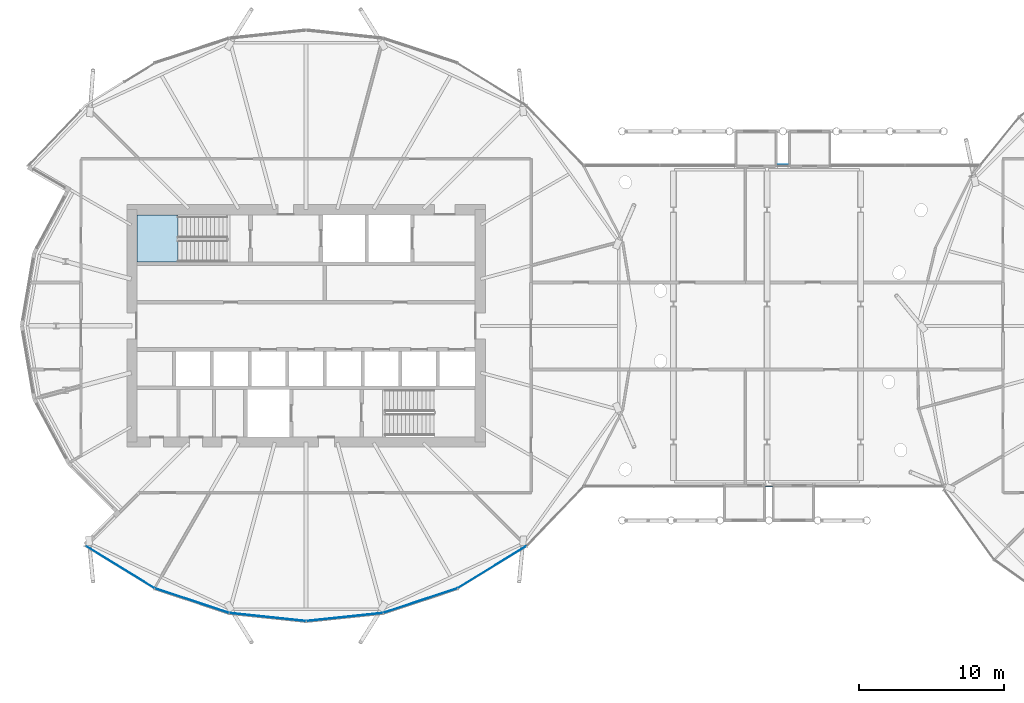
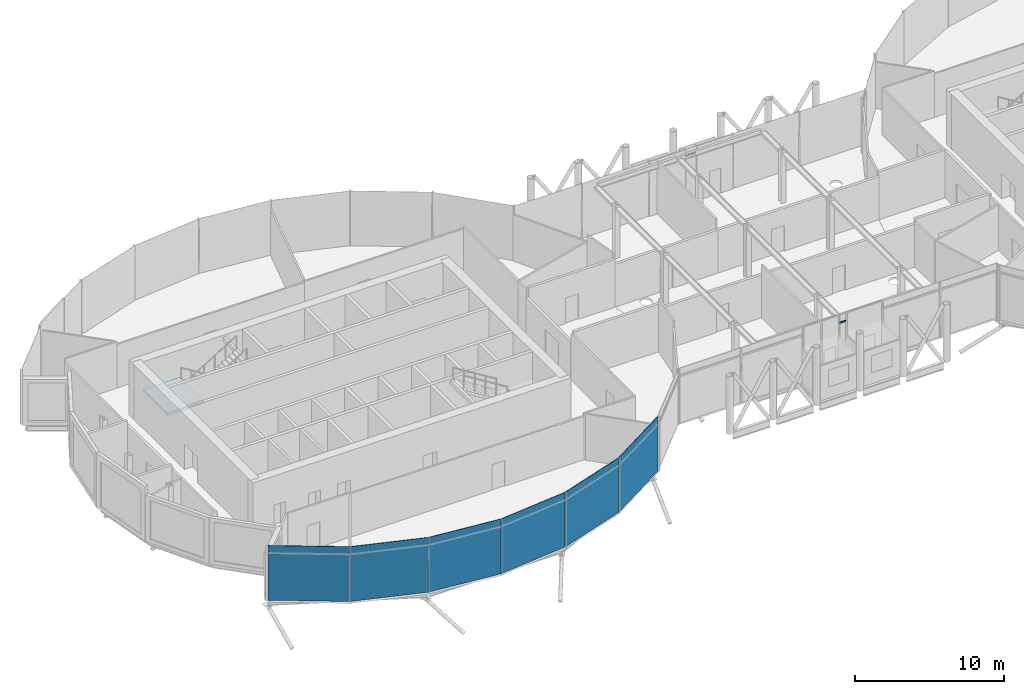
# One storey, part 17 of 36: 6 plates, 2 members, 1 slab, 4 elements without a shape of their own.
"""IFC4 building model written with IfcOpenShell, lengths in metres."""

import ifcopenshell
import ifcopenshell.guid

model = None  # the IFC model being written
_history = None  # IfcOwnerHistory: only IFC2X3 demands one
_inside = {}  # id of a spatial element -> (the spatial element, [elements in it])
_under = {}  # id of a project, library or spatial element -> (it, [spatial elements below it])
_declared = {}  # id of a project -> (the project, [libraries it declares])
_typed = {}  # id of a type object -> (the type object, [elements of that type])
_made_of = {}  # id of a material, layer set ... -> (it, [elements and type objects made of it])


def new_model(schema):
    """Start an empty IFC model of exactly this schema.

    Asked for "IFC4X3", IfcOpenShell would pick the latest addendum, in which some entities
    have other attributes; the version numbers below select the first issue.
    IFC2X3 requires an IfcOwnerHistory on every rooted entity: one is made here for all.
    """
    global model, _history
    if schema == "IFC4X3":
        model = ifcopenshell.file(schema_version=(4, 3, 0, 0))
    else:
        model = ifcopenshell.file(schema=schema)
    _inside.clear()
    _under.clear()
    _declared.clear()
    _typed.clear()
    _made_of.clear()
    _history = None
    if model.schema == "IFC2X3":
        org = make("IfcOrganization", Name="unknown")
        user = make(
            "IfcPersonAndOrganization",
            ThePerson=make("IfcPerson", FamilyName="unknown"),
            TheOrganization=org,
        )
        app = make(
            "IfcApplication",
            ApplicationDeveloper=org,
            Version="unknown",
            ApplicationFullName="unknown",
            ApplicationIdentifier="unknown",
        )
        _history = make(
            "IfcOwnerHistory",
            OwningUser=user,
            OwningApplication=app,
            ChangeAction="ADDED",
            CreationDate=0,
        )
    return model


def make(cls, **values):
    """One entity of the class cls with the attributes given. An attribute that is None is left unset."""
    return model.create_entity(
        cls, **{name: value for name, value in values.items() if value is not None}
    )


def rooted(cls, **values):
    """An entity with a GlobalId (a new one), such as an element, a storey or a relation."""
    return make(cls, GlobalId=ifcopenshell.guid.new(), OwnerHistory=_history, **values)


def si_unit(unit_type, name, prefix=None):
    """IfcSIUnit, for example si_unit("LENGTHUNIT", "METRE", prefix="MILLI")."""
    return make("IfcSIUnit", UnitType=unit_type, Prefix=prefix, Name=name)


def assignment(units):
    """IfcUnitAssignment: the units of a project."""
    return None if units is None else make("IfcUnitAssignment", Units=units)


def point(xyz):
    """IfcCartesianPoint."""
    return None if xyz is None else make("IfcCartesianPoint", Coordinates=xyz)


def direction(xyz):
    """IfcDirection."""
    return None if xyz is None else make("IfcDirection", DirectionRatios=xyz)


def frame(location, z_axis=None, x_axis=None):
    """IfcAxis2Placement3D, a coordinate frame: its origin and axes. An axis left out is left unset."""
    return make(
        "IfcAxis2Placement3D",
        Location=point(location),
        Axis=direction(z_axis),
        RefDirection=direction(x_axis),
    )


def frame_2d(location, x_axis=None):
    """IfcAxis2Placement2D, a coordinate frame in the plane: its origin and x axis."""
    return make(
        "IfcAxis2Placement2D", Location=point(location), RefDirection=direction(x_axis)
    )


def origin():
    """The frame at (0, 0, 0) with its axes left unset."""
    return frame((0.0, 0.0, 0.0))


def origin_2d():
    """The frame at (0, 0) in the plane with its x axis left unset."""
    return frame_2d((0.0, 0.0))


def place(relative_to, where):
    """IfcLocalPlacement: puts the frame where relative to a parent placement (None: the world)."""
    return make(
        "IfcLocalPlacement", PlacementRelTo=relative_to, RelativePlacement=where
    )


def context(
    kind, dimensions, precision=None, world=None, true_north=None, identifier=None
):
    """IfcGeometricRepresentationContext, for example the 3D "Model" context."""
    return make(
        "IfcGeometricRepresentationContext",
        ContextIdentifier=identifier,
        ContextType=kind,
        CoordinateSpaceDimension=dimensions,
        Precision=precision,
        WorldCoordinateSystem=world,
        TrueNorth=true_north,
    )


def subcontext(parent, identifier, kind, view, scale=None):
    """IfcGeometricRepresentationSubContext, for example "Body" below "Model"."""
    return make(
        "IfcGeometricRepresentationSubContext",
        ContextIdentifier=identifier,
        ContextType=kind,
        ParentContext=parent,
        TargetScale=scale,
        TargetView=view,
    )


def project(units=None, contexts=None):
    """IfcProject with its units and contexts."""
    return rooted(
        "IfcProject",
        Name="project",
        RepresentationContexts=contexts,
        UnitsInContext=assignment(units),
    )


def spatial(cls, under=None, at=None, **own):
    """A site, building, storey or space (cls), placed at a placement, below another one or the project."""
    s = rooted(cls, ObjectPlacement=at, **own)
    if under is not None:
        _under.setdefault(under.id(), (under, []))[1].append(s)
    return s


def polyline(points):
    """IfcPolyline through the points."""
    return make("IfcPolyline", Points=[point(p) for p in points])


def profile(cls, at=None, kind="AREA", **sizes):
    """A parametric profile (cls). Its sizes go by their IFC names, for example OverallWidth=200.0."""
    return make(cls, ProfileType=kind, Position=at, **sizes)


def rectangle(**sizes):
    """IfcRectangleProfileDef."""
    return profile("IfcRectangleProfileDef", **sizes)


def outline(outer, holes=None, kind="AREA"):
    """IfcArbitraryClosedProfileDef: a profile drawn as a closed curve; with holes, ...WithVoids."""
    if holes is None:
        return make("IfcArbitraryClosedProfileDef", ProfileType=kind, OuterCurve=outer)
    return make(
        "IfcArbitraryProfileDefWithVoids",
        ProfileType=kind,
        OuterCurve=outer,
        InnerCurves=holes,
    )


def extrude(swept, where, along, depth):
    """IfcExtrudedAreaSolid: the profile swept, set in the frame where, extruded along a direction by depth."""
    return make(
        "IfcExtrudedAreaSolid",
        SweptArea=swept,
        Position=where,
        ExtrudedDirection=direction(along),
        Depth=depth,
    )


def shape(context_of_items, identifier, shape_type, items):
    """IfcShapeRepresentation: the items that make up one representation, for example the "Body"."""
    return make(
        "IfcShapeRepresentation",
        ContextOfItems=context_of_items,
        RepresentationIdentifier=identifier,
        RepresentationType=shape_type,
        Items=items,
    )


def material(Name=None, Category=None):
    """IfcMaterial."""
    return make("IfcMaterial", Name=Name, Category=Category)


def layer(
    of_material, thickness, ventilated=None, Name=None, Category=None, Priority=None
):
    """IfcMaterialLayer: one layer of a wall or slab, of a material (None: an air gap)."""
    return make(
        "IfcMaterialLayer",
        Material=of_material,
        LayerThickness=thickness,
        IsVentilated=ventilated,
        Name=Name,
        Category=Category,
        Priority=Priority,
    )


def layer_set(layers, Name=None):
    """IfcMaterialLayerSet."""
    return make("IfcMaterialLayerSet", MaterialLayers=layers, LayerSetName=Name)


def material_profile(
    of_material, cross_section, Name=None, Category=None, Priority=None
):
    """IfcMaterialProfile: a cross section and its material."""
    return make(
        "IfcMaterialProfile",
        Name=Name,
        Material=of_material,
        Profile=cross_section,
        Priority=Priority,
        Category=Category,
    )


def profile_set(profiles, Name=None, composite=None):
    """IfcMaterialProfileSet."""
    return make(
        "IfcMaterialProfileSet",
        Name=Name,
        MaterialProfiles=profiles,
        CompositeProfile=composite,
    )


def made_of(thing, what):
    """Note that an element or type object is made of a material, layer set ...; save() writes the relation."""
    if what is not None:
        _made_of.setdefault(what.id(), (what, []))[1].append(thing)
    return thing


def type_object(cls, material=None, **own):
    """A type object (cls), such as IfcWallType, which elements share."""
    return made_of(rooted(cls, **own), material)


def element(
    cls,
    number,
    at=None,
    inside=None,
    cuts=None,
    type_object=None,
    material=None,
    context=None,
    identifier="Body",
    shape_type=None,
    held_by="IfcProductDefinitionShape",
    body=None,
    shapes=None,
    **own,
):
    """One element of the class cls, such as IfcWall. Its Tag is "e" and its number.

    at: its placement. inside: the storey or other place that contains it. cuts: it is an
    opening in that element (IfcRelVoidsElement). A single representation is given by context,
    identifier, shape_type and body (its items); several are given by shapes. held_by: the class
    of the entity that holds the representations. save() writes the other relations.
    """
    e = rooted(cls, Tag="e%d" % number, ObjectPlacement=at, **own)
    if body is not None:
        shapes = [shape(context, identifier, shape_type, body)]
    if shapes is not None:
        e.Representation = make(held_by, Representations=shapes)
    if inside is not None:
        _inside.setdefault(inside.id(), (inside, []))[1].append(e)
    if cuts is not None:
        rooted(
            "IfcRelVoidsElement", RelatingBuildingElement=cuts, RelatedOpeningElement=e
        )
    if type_object is not None:
        _typed.setdefault(type_object.id(), (type_object, []))[1].append(e)
    return made_of(e, material)


def aggregate(whole, parts):
    """IfcRelAggregates: a whole, such as a stair, and the parts it consists of."""
    return rooted("IfcRelAggregates", RelatingObject=whole, RelatedObjects=parts)


def save(model, path):
    """Write the relations noted so far, then the file.

    IfcRelAggregates (storeys below a building ...), IfcRelContainedInSpatialStructure (elements
    in a storey), IfcRelDefinesByType, IfcRelAssociatesMaterial and IfcRelDeclares: one each for
    every whole, place, type object, material and project.
    """
    for whole, parts in _under.values():
        aggregate(whole, parts)
    for where, things in _inside.values():
        rooted(
            "IfcRelContainedInSpatialStructure",
            RelatedElements=things,
            RelatingStructure=where,
        )
    for kind, things in _typed.values():
        rooted("IfcRelDefinesByType", RelatedObjects=things, RelatingType=kind)
    for what, things in _made_of.values():
        rooted("IfcRelAssociatesMaterial", RelatedObjects=things, RelatingMaterial=what)
    for by, libraries in _declared.values():
        rooted("IfcRelDeclares", RelatingContext=by, RelatedDefinitions=libraries)
    model.write(path)


model = new_model("IFC4")

# Units and contexts
model_context = context("Model", 3, precision=1e-05, world=origin(), true_north=direction((0.0, 1.0)))
body_context = subcontext(model_context, "Body", "Model", "MODEL_VIEW")
ifc_project = project(units=[si_unit("LENGTHUNIT", "METRE"), si_unit("AREAUNIT", "SQUARE_METRE"), si_unit("VOLUMEUNIT", "CUBIC_METRE"), si_unit("PLANEANGLEUNIT", "RADIAN"), si_unit("MASSUNIT", "GRAM", prefix="KILO")], contexts=[model_context])

# Site, building, storey
site_placement = place(None, origin())
site = spatial("IfcSite", under=ifc_project, at=site_placement, CompositionType="ELEMENT")
building_placement = place(site_placement, origin())
building = spatial("IfcBuilding", under=site, at=building_placement, Name="Rimbun Link Towers", CompositionType="ELEMENT")
storey_placement = place(building_placement, frame((0.0, 0.0, 154.39990234375)))
storey = spatial("IfcBuildingStorey", under=building, at=storey_placement, Name="L37", CompositionType="ELEMENT", Elevation=154.39990234375)

# Curtain wall, member
ifc_material_1 = material(Name="Aluminium 6063-T6 and low-iron glass", Category="aluminium")
curtain_wall_type = type_object("IfcCurtainWallType", Name="CW5 full height lobby wall", PredefinedType="NOTDEFINED", material=ifc_material_1)
curtain_wall_1_placement = place(storey_placement, origin())
curtain_wall_1 = element("IfcCurtainWall", 1, at=curtain_wall_1_placement, inside=storey, type_object=curtain_wall_type, Name="CW5 L37 LB", PredefinedType="NOTDEFINED")
ifc_material_2 = material(Name="Aluminium 6063-T6", Category="aluminium")
ifc_material_profile = material_profile(ifc_material_2, rectangle(XDim=0.06005859375, YDim=0.1201171875, at=origin_2d()), Name="TRANSOM 60X120")
ifc_profile_set = profile_set([ifc_material_profile], Name="Aluminium 6063-T6")
member_type = type_object("IfcMemberType", Name="CW5 transom 60X120", PredefinedType="USERDEFINED", material=ifc_profile_set)
member_1_placement = place(storey_placement, frame((0.6767578125, 11.06201171875, 3.900146484375), z_axis=(1.0, 0.0, 0.0), x_axis=(0.0, 1.0, 0.0)))
member_1 = element("IfcMember", 2, at=member_1_placement, type_object=member_type, Name="CW5 transom", ObjectType="TRANSOM", PredefinedType="USERDEFINED", context=body_context, shape_type="SweptSolid", body=[
    extrude(rectangle(XDim=0.06005859375, YDim=0.1201171875, at=origin_2d()), origin(), (0.0, 0.0, 1.0), 0.830078125),
])
aggregate(curtain_wall_1, [member_1])

curtain_wall_2_placement = place(storey_placement, origin())
curtain_wall_2 = element("IfcCurtainWall", 3, at=curtain_wall_2_placement, inside=storey, type_object=curtain_wall_type, Name="CW5 L37 LB", PredefinedType="NOTDEFINED")
member_2_placement = place(storey_placement, frame((0.38330078125, -11.06201171875, 3.900146484375), z_axis=(-1.0, 0.0, 0.0), x_axis=(0.0, -1.0, 0.0)))
member_2 = element("IfcMember", 4, at=member_2_placement, type_object=member_type, Name="CW5 transom", ObjectType="TRANSOM", PredefinedType="USERDEFINED", context=body_context, shape_type="SweptSolid", body=[
    extrude(rectangle(XDim=0.06005859375, YDim=0.1201171875, at=origin_2d()), origin(), (0.0, 0.0, 1.0), 0.509033203125),
])
aggregate(curtain_wall_2, [member_2])

# Curtain wall, plates
curtain_wall_3_placement = place(storey_placement, origin())
curtain_wall_3 = element("IfcCurtainWall", 5, at=curtain_wall_3_placement, inside=storey, type_object=curtain_wall_type, Name="CW5 L37 T1", PredefinedType="NOTDEFINED")
ifc_material_3 = material(Name="Low-iron glass, laminated low-e unit", Category="glass")
ifc_layer_1 = layer(ifc_material_3, 0.031982421875)
ifc_layer_set_1 = layer_set([ifc_layer_1], Name="CW5 panel Low-iron glass 32")
plate_type = type_object("IfcPlateType", Name="CW5 panel Low-iron glass 32", PredefinedType="CURTAIN_PANEL", material=ifc_layer_set_1)
plate_1_placement = place(storey_placement, frame((-44.54833984375, -16.619384765625, 0.0), z_axis=(0.0, 0.0, 1.0), x_axis=(-0.852194346217, 0.523225378089, 0.0)))
plate_1 = element("IfcPlate", 6, at=plate_1_placement, type_object=plate_type, Name="CW5 panel", PredefinedType="CURTAIN_PANEL", context=body_context, shape_type="SweptSolid", body=[
    extrude(rectangle(XDim=5.5087890625, YDim=0.031982421875, at=origin_2d()), origin(), (0.0, 0.0, 1.0), 4.5),
])
plate_2_placement = place(storey_placement, frame((-39.61474609375, -18.9228515625, 0.0), z_axis=(0.0, 0.0, 1.0), x_axis=(-0.949234953763, 0.314567961741, 0.0)))
plate_2 = element("IfcPlate", 7, at=plate_2_placement, type_object=plate_type, Name="CW5 panel", PredefinedType="CURTAIN_PANEL", context=body_context, shape_type="SweptSolid", body=[
    extrude(rectangle(XDim=5.36572265625, YDim=0.031982421875, at=origin_2d()), origin(), (0.0, 0.0, 1.0), 4.5),
])
plate_3_placement = place(storey_placement, frame((-34.398681640625, -20.052734375, 0.0), z_axis=(0.0, 0.0, 1.0), x_axis=(-0.994499069305, 0.104745411125, 0.0)))
plate_3 = element("IfcPlate", 8, at=plate_3_placement, type_object=plate_type, Name="CW5 panel", PredefinedType="CURTAIN_PANEL", context=body_context, shape_type="SweptSolid", body=[
    extrude(rectangle(XDim=5.283447265625, YDim=0.031982421875, at=origin_2d()), origin(), (0.0, 0.0, 1.0), 4.5),
])
plate_4_placement = place(storey_placement, frame((-29.101318359375, -20.052734375, 0.0), z_axis=(0.0, 0.0, 1.0), x_axis=(-0.994499069305, -0.104745411125, 0.0)))
plate_4 = element("IfcPlate", 9, at=plate_4_placement, type_object=plate_type, Name="CW5 panel", PredefinedType="CURTAIN_PANEL", context=body_context, shape_type="SweptSolid", body=[
    extrude(rectangle(XDim=5.283447265625, YDim=0.031982421875, at=origin_2d()), origin(), (0.0, 0.0, 1.0), 4.5),
])
plate_5_placement = place(storey_placement, frame((-23.88525390625, -18.9228515625, 0.0), z_axis=(0.0, 0.0, 1.0), x_axis=(-0.949234953763, -0.314567961741, 0.0)))
plate_5 = element("IfcPlate", 10, at=plate_5_placement, type_object=plate_type, Name="CW5 panel", PredefinedType="CURTAIN_PANEL", context=body_context, shape_type="SweptSolid", body=[
    extrude(rectangle(XDim=5.36572265625, YDim=0.031982421875, at=origin_2d()), origin(), (0.0, 0.0, 1.0), 4.5),
])
plate_6_placement = place(storey_placement, frame((-18.95166015625, -16.619384765625, 0.0), z_axis=(0.0, 0.0, 1.0), x_axis=(-0.852194346217, -0.523225378089, 0.0)))
plate_6 = element("IfcPlate", 11, at=plate_6_placement, type_object=plate_type, Name="CW5 panel", PredefinedType="CURTAIN_PANEL", context=body_context, shape_type="SweptSolid", body=[
    extrude(rectangle(XDim=5.5087890625, YDim=0.031982421875, at=origin_2d()), origin(), (0.0, 0.0, 1.0), 4.5),
])
aggregate(curtain_wall_3, [plate_1, plate_2, plate_3, plate_4, plate_5, plate_6])

# Stair, slab
ifc_material_4 = material(Name="Concrete C40/50", Category="concrete")
stair_type = type_object("IfcStairType", Name="Exit stair 4500 rise", PredefinedType="HALF_TURN_STAIR", material=ifc_material_4)
stair_placement = place(storey_placement, origin())
stair = element("IfcStair", 12, at=stair_placement, inside=storey, type_object=stair_type, Name="L37 EXIT STAIR A", PredefinedType="HALF_TURN_STAIR")
ifc_material_5 = material(Name="Concrete C40/50", Category="concrete")
ifc_layer_2 = layer(ifc_material_5, 0.199951171875)
ifc_layer_set_2 = layer_set([ifc_layer_2], Name="Stair landing")
slab_type = type_object("IfcSlabType", Name="Stair landing", PredefinedType="LANDING", material=ifc_layer_set_2)
slab_placement = place(storey_placement, frame((0.0, 0.0, 2.050048828125)))
slab = element("IfcSlab", 13, at=slab_placement, type_object=slab_type, Name="ST1 landing 1", PredefinedType="LANDING", context=body_context, shape_type="SweptSolid", body=[
    extrude(outline(polyline([(-40.56005859375, 7.64990234375), (-43.39990234375, 7.64990234375), (-43.39990234375, 4.39990234375), (-40.56005859375, 4.39990234375), (-40.56005859375, 7.64990234375)])), origin(), (0.0, 0.0, 1.0), 0.199951171875),
])
aggregate(stair, [slab])

save(model, "model.ifc")
